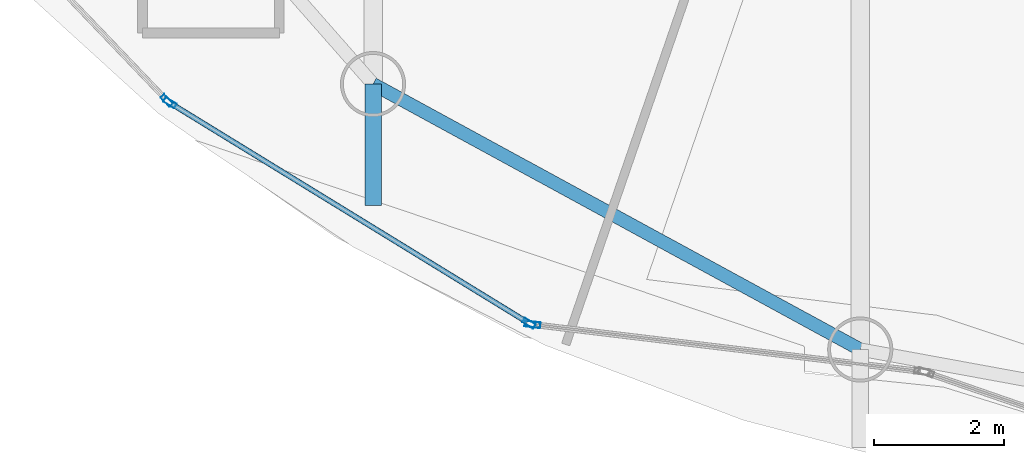
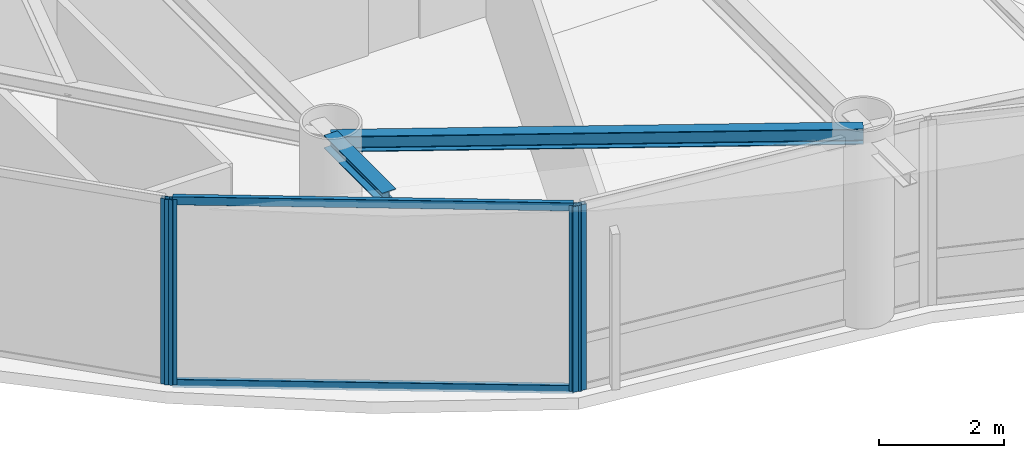
# One storey, part 2 of 21: 6 members, 2 beams, 3 elements without a shape of their own.
"""IFC4 building model written with IfcOpenShell, lengths in metres."""

from ifc_helpers import new_model, si_unit, direction, frame, origin, origin_2d, place, context, subcontext, project, spatial, hollow_rectangle, i_section, extrude, material, layer, layer_set, material_profile, profile_set, type_object, element, aggregate, save


model = new_model("IFC4")

# Units and contexts
model_context = context("Model", 3, precision=1e-05, world=origin(), true_north=direction((0.0, 1.0)))
body_context = subcontext(model_context, "Body", "Model", "MODEL_VIEW")
ifc_project = project(units=[si_unit("LENGTHUNIT", "METRE"), si_unit("AREAUNIT", "SQUARE_METRE"), si_unit("VOLUMEUNIT", "CUBIC_METRE"), si_unit("PLANEANGLEUNIT", "RADIAN"), si_unit("MASSUNIT", "GRAM", prefix="KILO")], contexts=[model_context])

# Site, building, storey
site_placement = place(None, origin())
site = spatial("IfcSite", under=ifc_project, at=site_placement, CompositionType="ELEMENT")
building_placement = place(site_placement, origin())
building = spatial("IfcBuilding", under=site, at=building_placement, Name="Bramvorn Convention Spire", CompositionType="ELEMENT")
storey_placement = place(building_placement, frame((0.0, 0.0, 249.75)))
storey = spatial("IfcBuildingStorey", under=building, at=storey_placement, Name="L63", CompositionType="ELEMENT", Elevation=249.75)

# Beams
ifc_material_1 = material(Name="Steel CSA G40.21 Grade 350 (350W)", Category="steel")
ifc_material_profile_1 = material_profile(ifc_material_1, i_section(OverallWidth=0.25390625, OverallDepth=0.2529296875, WebThickness=0.008544921875, FlangeThickness=0.01416015625, FilletRadius=0.011962890625, at=origin_2d()))
ifc_profile_set_1 = profile_set([ifc_material_profile_1], Name="Steel CSA G40.21 Grade 350 (350W) - W250X73")
beam_type_1 = type_object("IfcBeamType", Name="BM-W250X73", PredefinedType="BEAM", material=ifc_profile_set_1)
beam_1_placement = place(storey_placement, frame((28.337646484375, 10.523193359375, 3.49853515625), z_axis=(0.0, -1.0, 0.0), x_axis=(1.0, 0.0, 0.0)))
element("IfcBeam", 1, at=beam_1_placement, inside=storey, type_object=beam_type_1, Name="L63 slab-edge cantilever tip beam MC14", PredefinedType="BEAM", context=body_context, shape_type="SweptSolid", body=[
    extrude(i_section(OverallWidth=0.25390625, OverallDepth=0.2529296875, WebThickness=0.008544921875, FlangeThickness=0.01416015625, FilletRadius=0.011962890625, at=origin_2d()), origin(), (0.0, 0.0, 1.0), 1.865966796875),
])
ifc_material_profile_2 = material_profile(ifc_material_1, i_section(OverallWidth=0.202880859375, OverallDepth=0.302978515625, WebThickness=0.007568359375, FlangeThickness=0.01318359375, FilletRadius=0.013916015625, at=origin_2d()))
ifc_profile_set_2 = profile_set([ifc_material_profile_2], Name="Steel CSA G40.21 Grade 350 (350W) - W310X60")
beam_type_2 = type_object("IfcBeamType", Name="BM-W310X60", PredefinedType="JOIST", material=ifc_profile_set_2)
beam_2_placement = place(storey_placement, frame((28.337646484375, 10.523193359375, 3.473388671875), z_axis=(0.878133224771, -0.478416178189, 0.0), x_axis=(0.478416178189, 0.878133224771, 0.0)))
element("IfcBeam", 2, at=beam_2_placement, inside=storey, type_object=beam_type_2, Name="L63 mega-column ring beam 14", PredefinedType="JOIST", context=body_context, shape_type="SweptSolid", body=[
    extrude(i_section(OverallWidth=0.202880859375, OverallDepth=0.302978515625, WebThickness=0.007568359375, FlangeThickness=0.01318359375, FilletRadius=0.013916015625, at=origin_2d()), origin(), (0.0, 0.0, 1.0), 8.515625),
])

# Curtain wall, member
ifc_material_2 = material(Name="Anodised Bronze Unitised Curtain Wall", Category="aluminium")
ifc_layer_1 = layer(ifc_material_2, 0.179931640625)
ifc_layer_set_1 = layer_set([ifc_layer_1], Name="Anodised Bronze Unitised Curtain Wall - CW-OFF-FRIT")
curtain_wall_type_1 = type_object("IfcCurtainWallType", Name="CW-OFF-FRIT", PredefinedType="USERDEFINED", material=ifc_layer_set_1)
curtain_wall_1_placement = place(storey_placement, origin())
curtain_wall_1 = element("IfcCurtainWall", 3, at=curtain_wall_1_placement, inside=storey, type_object=curtain_wall_type_1, Name="L63 fritted glass curtain wall 19", ObjectType="UNITISED CURTAIN WALL", PredefinedType="USERDEFINED")
ifc_material_3 = material(Name="Anodised Bronze Aluminium 6063-T6", Category="aluminium")
ifc_material_profile_3 = material_profile(ifc_material_3, hollow_rectangle(XDim=0.080078125, YDim=0.199951171875, WallThickness=0.00390625, InnerFilletRadius=0.0009765625, OuterFilletRadius=0.00390625, at=origin_2d()))
ifc_profile_set_3 = profile_set([ifc_material_profile_3], Name="Anodised Bronze Aluminium 6063-T6 - CWM80X200")
member_type_1 = type_object("IfcMemberType", Name="CW-MUL-180", PredefinedType="MULLION", material=ifc_profile_set_3)
member_1_placement = place(storey_placement, frame((25.17333984375, 10.272705078125, 0.0), z_axis=(0.0, 0.0, 1.0), x_axis=(-0.722598932793, -0.69126751864, 0.0)))
member_1 = element("IfcMember", 4, at=member_1_placement, type_object=member_type_1, Name="CW3 mullion 1", PredefinedType="MULLION", context=body_context, shape_type="SweptSolid", body=[
    extrude(hollow_rectangle(XDim=0.080078125, YDim=0.199951171875, WallThickness=0.00390625, InnerFilletRadius=0.0009765625, OuterFilletRadius=0.00390625, at=origin_2d()), origin(), (0.0, 0.0, 1.0), 3.625),
])
aggregate(curtain_wall_1, [member_1])

# Curtain wall, members
curtain_wall_2_placement = place(storey_placement, origin())
curtain_wall_2 = element("IfcCurtainWall", 5, at=curtain_wall_2_placement, inside=storey, type_object=curtain_wall_type_1, Name="L63 fritted glass curtain wall 20", ObjectType="UNITISED CURTAIN WALL", PredefinedType="USERDEFINED")
member_2_placement = place(storey_placement, frame((30.73046875, 6.852783203125, 0.0), z_axis=(0.0, 0.0, 1.0), x_axis=(-0.523129301157, -0.852253327521, 0.0)))
member_2 = element("IfcMember", 6, at=member_2_placement, type_object=member_type_1, Name="CW3 mullion 1", PredefinedType="MULLION", context=body_context, shape_type="SweptSolid", body=[
    extrude(hollow_rectangle(XDim=0.080078125, YDim=0.199951171875, WallThickness=0.00390625, InnerFilletRadius=0.0009765625, OuterFilletRadius=0.00390625, at=origin_2d()), origin(), (0.0, 0.0, 1.0), 3.625),
])
member_3_placement = place(storey_placement, frame((25.2197265625, 10.2353515625, 0.0), z_axis=(0.0, 0.0, 1.0), x_axis=(-0.523129301157, -0.852253327521, 0.0)))
member_3 = element("IfcMember", 7, at=member_3_placement, type_object=member_type_1, Name="CW3 mullion 2", PredefinedType="MULLION", context=body_context, shape_type="SweptSolid", body=[
    extrude(hollow_rectangle(XDim=0.080078125, YDim=0.199951171875, WallThickness=0.00390625, InnerFilletRadius=0.0009765625, OuterFilletRadius=0.00390625, at=origin_2d()), origin(), (0.0, 0.0, 1.0), 3.625),
])

# Curtain wall, member
ifc_layer_2 = layer(ifc_material_2, 0.219970703125)
ifc_layer_set_2 = layer_set([ifc_layer_2], Name="Anodised Bronze Unitised Curtain Wall - CW-SKYGARDEN")
curtain_wall_type_2 = type_object("IfcCurtainWallType", Name="CW-SKYGARDEN", PredefinedType="USERDEFINED", material=ifc_layer_set_2)
curtain_wall_3_placement = place(storey_placement, origin())
curtain_wall_3 = element("IfcCurtainWall", 8, at=curtain_wall_3_placement, inside=storey, type_object=curtain_wall_type_2, Name="L63 Sky Garden glazed facade 21", ObjectType="WINTER GARDEN GLAZING", PredefinedType="USERDEFINED")
ifc_material_profile_4 = material_profile(ifc_material_3, hollow_rectangle(XDim=0.090087890625, YDim=0.239990234375, WallThickness=0.00439453125, InnerFilletRadius=0.0009765625, OuterFilletRadius=0.00439453125, at=origin_2d()))
ifc_profile_set_4 = profile_set([ifc_material_profile_4], Name="Anodised Bronze Aluminium 6063-T6 - CWM90X240")
member_type_2 = type_object("IfcMemberType", Name="CW-MUL-220", PredefinedType="MULLION", material=ifc_profile_set_4)
member_4_placement = place(storey_placement, frame((30.785888671875, 6.83349609375, 0.0), z_axis=(0.0, 0.0, 1.0), x_axis=(-0.120017660921, -0.992771756783, 0.0)))
member_4 = element("IfcMember", 9, at=member_4_placement, type_object=member_type_2, Name="CW4 mullion 2", PredefinedType="MULLION", context=body_context, shape_type="SweptSolid", body=[
    extrude(hollow_rectangle(XDim=0.090087890625, YDim=0.239990234375, WallThickness=0.00439453125, InnerFilletRadius=0.0009765625, OuterFilletRadius=0.00439453125, at=origin_2d()), origin(), (0.0, 0.0, 1.0), 3.625),
])
aggregate(curtain_wall_3, [member_4])

# Member
ifc_material_profile_5 = material_profile(ifc_material_3, hollow_rectangle(XDim=0.080078125, YDim=0.159912109375, WallThickness=0.00390625, InnerFilletRadius=0.0009765625, OuterFilletRadius=0.00390625, at=origin_2d()))
ifc_profile_set_5 = profile_set([ifc_material_profile_5], Name="Anodised Bronze Aluminium 6063-T6 - CWT80X160")
member_type_3 = type_object("IfcMemberType", Name="CW-TRN-150", PredefinedType="USERDEFINED", material=ifc_profile_set_5)
member_5_placement = place(storey_placement, frame((30.704833984375, 6.868408203125, 0.030029296875), z_axis=(-0.852250519169, 0.523133876342, 0.0), x_axis=(-0.523133876342, -0.852250519169, 0.0)))
member_5 = element("IfcMember", 10, at=member_5_placement, type_object=member_type_3, Name="CW3 transom 1.1", ObjectType="TRANSOM", PredefinedType="USERDEFINED", context=body_context, shape_type="SweptSolid", body=[
    extrude(hollow_rectangle(XDim=0.080078125, YDim=0.159912109375, WallThickness=0.00390625, InnerFilletRadius=0.0009765625, OuterFilletRadius=0.00390625, at=origin_2d()), origin(), (0.0, 0.0, 1.0), 6.40625),
])

member_6_placement = place(storey_placement, frame((30.704833984375, 6.868408203125, 3.594970703125), z_axis=(-0.852250519169, 0.523133876342, 0.0), x_axis=(-0.523133876342, -0.852250519169, 0.0)))
member_6 = element("IfcMember", 11, at=member_6_placement, type_object=member_type_3, Name="CW3 transom 1.2", ObjectType="TRANSOM", PredefinedType="USERDEFINED", context=body_context, shape_type="SweptSolid", body=[
    extrude(hollow_rectangle(XDim=0.080078125, YDim=0.159912109375, WallThickness=0.00390625, InnerFilletRadius=0.0009765625, OuterFilletRadius=0.00390625, at=origin_2d()), origin(), (0.0, 0.0, 1.0), 6.40625),
])

aggregate(curtain_wall_2, [member_2, member_3, member_5, member_6])

save(model, "model.ifc")
